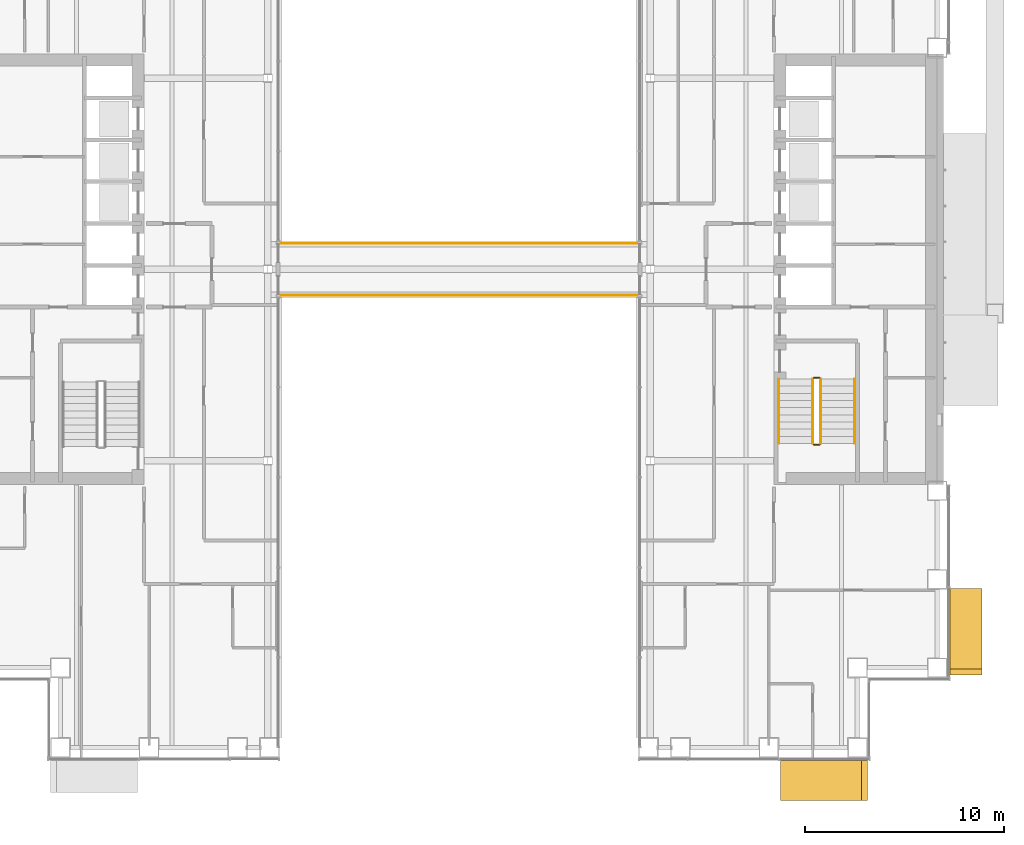
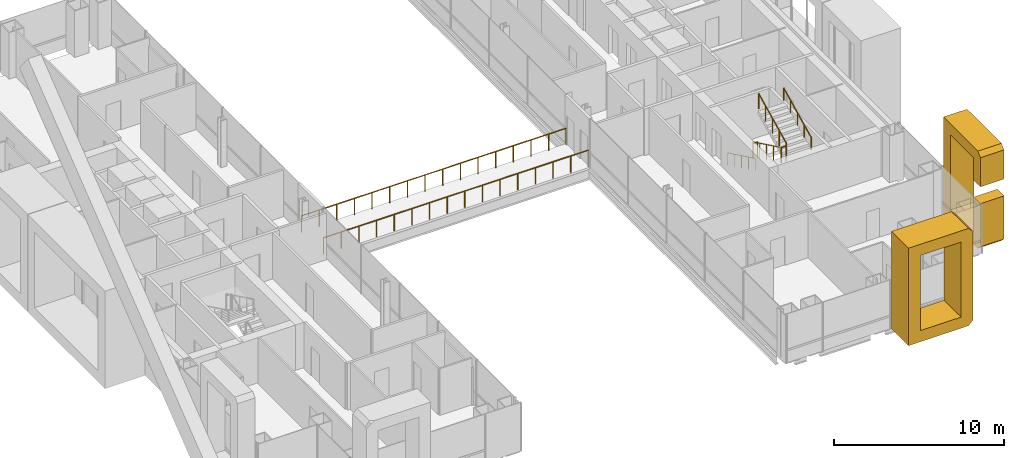
# One storey, part 23 of 26: 8 railings, 2 coverings.
"""IFC4 building model written with IfcOpenShell, lengths in metres."""

from ifc_helpers import new_model, si_unit, direction, frame, origin, origin_2d, place, context, subcontext, project, spatial, polyline, circle, outline, extrude, material, type_object, element, save


model = new_model("IFC4")

# Units and contexts
model_context = context("Model", 3, precision=1e-05, world=origin(), true_north=direction((0.0, 1.0)))
body_context = subcontext(model_context, "Body", "Model", "MODEL_VIEW")
ifc_project = project(units=[si_unit("LENGTHUNIT", "METRE"), si_unit("AREAUNIT", "SQUARE_METRE"), si_unit("VOLUMEUNIT", "CUBIC_METRE"), si_unit("PLANEANGLEUNIT", "RADIAN"), si_unit("MASSUNIT", "GRAM", prefix="KILO")], contexts=[model_context])

# Site, building, storey
site_placement = place(None, origin())
site = spatial("IfcSite", under=ifc_project, at=site_placement, CompositionType="ELEMENT")
building_placement = place(site_placement, origin())
building = spatial("IfcBuilding", under=site, at=building_placement, Name="Cobrizo Arcos Hotel Tower", CompositionType="ELEMENT")
storey_placement = place(building_placement, frame((0.0, 0.0, 67.0)))
storey = spatial("IfcBuildingStorey", under=building, at=storey_placement, Name="L15", CompositionType="ELEMENT", Elevation=67.0)

# Coverings
ifc_material_1 = material(Name="Aluminium 6063-T6 anodised bronze", Category="aluminium")
covering_type_1 = type_object("IfcCoveringType", Name="FIN-F 1600", PredefinedType="CLADDING", material=ifc_material_1)
covering_1_placement = place(storey_placement, frame((24.64990234375, -20.35009765625, 0.0), z_axis=(1.0, 0.0, 0.0), x_axis=(0.0, 1.0, 0.0)))
element("IfcCovering", 1, at=covering_1_placement, inside=storey, type_object=covering_type_1, Name="Fin frame 35", PredefinedType="CLADDING", context=body_context, shape_type="SweptSolid", body=[
    extrude(outline(polyline([(0.0, 6.699951171875), (0.0, 4.60205078125), (0.800048828125, 4.60205078125), (0.800048828125, 6.199951171875), (3.541748046875, 6.199951171875), (3.541748046875, 0.800048828125), (0.800048828125, 0.800048828125), (0.800048828125, 3.39794921875), (0.0, 3.39794921875), (0.0, 0.300048828125), (0.300048828125, 0.0), (4.341796875, 0.0), (4.341796875, 7.0), (0.300048828125, 7.0), (0.0, 6.699951171875)])), origin(), (0.0, 0.0, 1.0), 1.60009765625),
])
covering_type_2 = type_object("IfcCoveringType", Name="FIN-F 2000", PredefinedType="CLADDING", material=ifc_material_1)
covering_2_placement = place(storey_placement, frame((16.125, -24.64990234375, 0.0), z_axis=(0.0, -1.0, 0.0), x_axis=(1.0, 0.0, 0.0)))
element("IfcCovering", 2, at=covering_2_placement, inside=storey, type_object=covering_type_2, Name="Fin frame 58", PredefinedType="CLADDING", context=body_context, shape_type="SweptSolid", body=[
    extrude(outline(polyline([(0.0, 7.0), (0.0, 0.0), (4.074951171875, 0.0), (4.375, 0.300048828125), (4.375, 6.699951171875), (4.074951171875, 7.0), (0.0, 7.0)]), holes=[polyline([(3.574951171875, 0.800048828125), (0.800048828125, 0.800048828125), (0.800048828125, 6.199951171875), (3.574951171875, 6.199951171875), (3.574951171875, 0.800048828125)])]), origin(), (0.0, 0.0, 1.0), 2.0),
])

# Railings
ifc_material_2 = material(Name="Stainless steel railing", Category="steel")
railing_type_1 = type_object("IfcRailingType", Name="Sky bridge guard 1200", PredefinedType="GUARDRAIL", material=ifc_material_2)
railing_1_placement = place(storey_placement, frame((-9.0, 1.300048828125, 0.0)))
element("IfcRailing", 3, at=railing_1_placement, inside=storey, type_object=railing_type_1, Name="Sky bridge north guard", PredefinedType="GUARDRAIL", context=body_context, shape_type="SweptSolid", body=[
    extrude(circle(Radius=0.02392578125, at=origin_2d()), frame((0.0, 0.0, 1.17578125), z_axis=(1.0, 0.0, 0.0), x_axis=(0.0, 1.0, 0.0)), (0.0, 0.0, 1.0), 18.0),
    extrude(circle(Radius=0.02099609375, at=origin_2d()), origin(), (0.0, 0.0, 1.0), 1.15185546875),
    extrude(circle(Radius=0.02099609375, at=origin_2d()), frame((1.199951171875, 0.0, 0.0)), (0.0, 0.0, 1.0), 1.15185546875),
    extrude(circle(Radius=0.02099609375, at=origin_2d()), frame((2.39990234375, 0.0, 0.0)), (0.0, 0.0, 1.0), 1.15185546875),
    extrude(circle(Radius=0.02099609375, at=origin_2d()), frame((3.60009765625, 0.0, 0.0)), (0.0, 0.0, 1.0), 1.15185546875),
    extrude(circle(Radius=0.02099609375, at=origin_2d()), frame((4.800048828125, 0.0, 0.0)), (0.0, 0.0, 1.0), 1.15185546875),
    extrude(circle(Radius=0.02099609375, at=origin_2d()), frame((6.0, 0.0, 0.0)), (0.0, 0.0, 1.0), 1.15185546875),
    extrude(circle(Radius=0.02099609375, at=origin_2d()), frame((7.199951171875, 0.0, 0.0)), (0.0, 0.0, 1.0), 1.15185546875),
    extrude(circle(Radius=0.02099609375, at=origin_2d()), frame((8.39990234375, 0.0, 0.0)), (0.0, 0.0, 1.0), 1.15185546875),
    extrude(circle(Radius=0.02099609375, at=origin_2d()), frame((9.60009765625, 0.0, 0.0)), (0.0, 0.0, 1.0), 1.15185546875),
    extrude(circle(Radius=0.02099609375, at=origin_2d()), frame((10.800048828125, 0.0, 0.0)), (0.0, 0.0, 1.0), 1.15185546875),
    extrude(circle(Radius=0.02099609375, at=origin_2d()), frame((12.0, 0.0, 0.0)), (0.0, 0.0, 1.0), 1.15185546875),
    extrude(circle(Radius=0.02099609375, at=origin_2d()), frame((13.199951171875, 0.0, 0.0)), (0.0, 0.0, 1.0), 1.15185546875),
    extrude(circle(Radius=0.02099609375, at=origin_2d()), frame((14.39990234375, 0.0, 0.0)), (0.0, 0.0, 1.0), 1.15185546875),
    extrude(circle(Radius=0.02099609375, at=origin_2d()), frame((15.60009765625, 0.0, 0.0)), (0.0, 0.0, 1.0), 1.15185546875),
    extrude(circle(Radius=0.02099609375, at=origin_2d()), frame((16.800048828125, 0.0, 0.0)), (0.0, 0.0, 1.0), 1.15185546875),
    extrude(circle(Radius=0.02099609375, at=origin_2d()), frame((18.0, 0.0, 0.0)), (0.0, 0.0, 1.0), 1.15185546875),
])
railing_2_placement = place(storey_placement, frame((-9.0, -1.300048828125, 0.0)))
element("IfcRailing", 4, at=railing_2_placement, inside=storey, type_object=railing_type_1, Name="Sky bridge south guard", PredefinedType="GUARDRAIL", context=body_context, shape_type="SweptSolid", body=[
    extrude(circle(Radius=0.02392578125, at=origin_2d()), frame((0.0, 0.0, 1.17578125), z_axis=(1.0, 0.0, 0.0), x_axis=(0.0, 1.0, 0.0)), (0.0, 0.0, 1.0), 18.0),
    extrude(circle(Radius=0.02099609375, at=origin_2d()), origin(), (0.0, 0.0, 1.0), 1.15185546875),
    extrude(circle(Radius=0.02099609375, at=origin_2d()), frame((1.199951171875, 0.0, 0.0)), (0.0, 0.0, 1.0), 1.15185546875),
    extrude(circle(Radius=0.02099609375, at=origin_2d()), frame((2.39990234375, 0.0, 0.0)), (0.0, 0.0, 1.0), 1.15185546875),
    extrude(circle(Radius=0.02099609375, at=origin_2d()), frame((3.60009765625, 0.0, 0.0)), (0.0, 0.0, 1.0), 1.15185546875),
    extrude(circle(Radius=0.02099609375, at=origin_2d()), frame((4.800048828125, 0.0, 0.0)), (0.0, 0.0, 1.0), 1.15185546875),
    extrude(circle(Radius=0.02099609375, at=origin_2d()), frame((6.0, 0.0, 0.0)), (0.0, 0.0, 1.0), 1.15185546875),
    extrude(circle(Radius=0.02099609375, at=origin_2d()), frame((7.199951171875, 0.0, 0.0)), (0.0, 0.0, 1.0), 1.15185546875),
    extrude(circle(Radius=0.02099609375, at=origin_2d()), frame((8.39990234375, 0.0, 0.0)), (0.0, 0.0, 1.0), 1.15185546875),
    extrude(circle(Radius=0.02099609375, at=origin_2d()), frame((9.60009765625, 0.0, 0.0)), (0.0, 0.0, 1.0), 1.15185546875),
    extrude(circle(Radius=0.02099609375, at=origin_2d()), frame((10.800048828125, 0.0, 0.0)), (0.0, 0.0, 1.0), 1.15185546875),
    extrude(circle(Radius=0.02099609375, at=origin_2d()), frame((12.0, 0.0, 0.0)), (0.0, 0.0, 1.0), 1.15185546875),
    extrude(circle(Radius=0.02099609375, at=origin_2d()), frame((13.199951171875, 0.0, 0.0)), (0.0, 0.0, 1.0), 1.15185546875),
    extrude(circle(Radius=0.02099609375, at=origin_2d()), frame((14.39990234375, 0.0, 0.0)), (0.0, 0.0, 1.0), 1.15185546875),
    extrude(circle(Radius=0.02099609375, at=origin_2d()), frame((15.60009765625, 0.0, 0.0)), (0.0, 0.0, 1.0), 1.15185546875),
    extrude(circle(Radius=0.02099609375, at=origin_2d()), frame((16.800048828125, 0.0, 0.0)), (0.0, 0.0, 1.0), 1.15185546875),
    extrude(circle(Radius=0.02099609375, at=origin_2d()), frame((18.0, 0.0, 0.0)), (0.0, 0.0, 1.0), 1.15185546875),
])
railing_type_2 = type_object("IfcRailingType", Name="Stair guard 1100", PredefinedType="GUARDRAIL", material=ifc_material_2)
railing_3_placement = place(storey_placement, frame((17.75, -5.5, 0.175048828125)))
element("IfcRailing", 5, at=railing_3_placement, inside=storey, type_object=railing_type_2, Name="L15 ST-E stair guard 1", PredefinedType="GUARDRAIL", context=body_context, shape_type="SweptSolid", body=[
    extrude(circle(Radius=0.02392578125, at=origin_2d()), frame((0.0, 0.0, 1.076171875), z_axis=(0.0, -0.899372665325, 0.437182809435), x_axis=(1.0, 0.0, 0.0)), (0.0, 0.0, 1.0), 3.6025390625),
    extrude(circle(Radius=0.02099609375, at=origin_2d()), origin(), (0.0, 0.0, 1.0), 1.052001953125),
    extrude(circle(Radius=0.02099609375, at=origin_2d()), frame((0.0, -0.81005859375, 0.393798828125)), (0.0, 0.0, 1.0), 1.052001953125),
    extrude(circle(Radius=0.02099609375, at=origin_2d()), frame((0.0, -1.6201171875, 0.78759765625)), (0.0, 0.0, 1.0), 1.052001953125),
    extrude(circle(Radius=0.02099609375, at=origin_2d()), frame((0.0, -2.429931640625, 1.18115234375)), (0.0, 0.0, 1.0), 1.052001953125),
    extrude(circle(Radius=0.02099609375, at=origin_2d()), frame((0.0, -3.239990234375, 1.574951171875)), (0.0, 0.0, 1.0), 1.052001953125),
])
railing_4_placement = place(storey_placement, frame((17.800048828125, -8.7900390625, 1.75)))
element("IfcRailing", 6, at=railing_4_placement, inside=storey, type_object=railing_type_2, Name="L15 ST-E stair guard 2", PredefinedType="GUARDRAIL", context=body_context, shape_type="SweptSolid", body=[
    extrude(circle(Radius=0.02392578125, at=origin_2d()), frame((0.0, 0.0, 1.076171875), z_axis=(1.0, 0.0, 0.0), x_axis=(0.0, 1.0, 0.0)), (0.0, 0.0, 1.0), 0.300048828125),
    extrude(circle(Radius=0.02099609375, at=origin_2d()), origin(), (0.0, 0.0, 1.0), 1.052001953125),
    extrude(circle(Radius=0.02099609375, at=origin_2d()), frame((0.300048828125, 0.0, 0.0)), (0.0, 0.0, 1.0), 1.052001953125),
])
railing_5_placement = place(storey_placement, frame((18.14990234375, -8.739990234375, 1.925048828125)))
element("IfcRailing", 7, at=railing_5_placement, inside=storey, type_object=railing_type_2, Name="L15 ST-E stair guard 3", PredefinedType="GUARDRAIL", context=body_context, shape_type="SweptSolid", body=[
    extrude(circle(Radius=0.02392578125, at=origin_2d()), frame((0.0, 0.0, 1.076171875), z_axis=(0.0, 0.899372665325, 0.437182809435), x_axis=(-1.0, 0.0, 0.0)), (0.0, 0.0, 1.0), 3.6025390625),
    extrude(circle(Radius=0.02099609375, at=origin_2d()), origin(), (0.0, 0.0, 1.0), 1.052001953125),
    extrude(circle(Radius=0.02099609375, at=origin_2d()), frame((0.0, 0.81005859375, 0.393798828125)), (0.0, 0.0, 1.0), 1.052001953125),
    extrude(circle(Radius=0.02099609375, at=origin_2d()), frame((0.0, 1.6201171875, 0.78759765625)), (0.0, 0.0, 1.0), 1.052001953125),
    extrude(circle(Radius=0.02099609375, at=origin_2d()), frame((0.0, 2.429931640625, 1.18115234375)), (0.0, 0.0, 1.0), 1.052001953125),
    extrude(circle(Radius=0.02099609375, at=origin_2d()), frame((0.0, 3.239990234375, 1.574951171875)), (0.0, 0.0, 1.0), 1.052001953125),
])
railing_6_placement = place(storey_placement, frame((17.800048828125, -5.449951171875, 0.0)))
element("IfcRailing", 8, at=railing_6_placement, inside=storey, type_object=railing_type_2, Name="L15 ST-E stair guard 4", PredefinedType="GUARDRAIL", context=body_context, shape_type="SweptSolid", body=[
    extrude(circle(Radius=0.02392578125, at=origin_2d()), frame((0.0, 0.0, 1.076171875), z_axis=(1.0, 0.0, 0.0), x_axis=(0.0, 1.0, 0.0)), (0.0, 0.0, 1.0), 0.300048828125),
    extrude(circle(Radius=0.02099609375, at=origin_2d()), origin(), (0.0, 0.0, 1.0), 1.052001953125),
    extrude(circle(Radius=0.02099609375, at=origin_2d()), frame((0.300048828125, 0.0, 0.0)), (0.0, 0.0, 1.0), 1.052001953125),
])
railing_type_3 = type_object("IfcRailingType", Name="Stair handrail", PredefinedType="HANDRAIL", material=ifc_material_2)
railing_7_placement = place(storey_placement, frame((16.050048828125, -5.5, 0.175048828125)))
element("IfcRailing", 9, at=railing_7_placement, inside=storey, type_object=railing_type_3, Name="L15 ST-E stair handrail 1", PredefinedType="HANDRAIL", context=body_context, shape_type="SweptSolid", body=[
    extrude(circle(Radius=0.02392578125, at=origin_2d()), frame((0.0, 0.0, 0.8759765625), z_axis=(0.0, -0.899372665325, 0.437182809435), x_axis=(1.0, 0.0, 0.0)), (0.0, 0.0, 1.0), 3.6025390625),
    extrude(circle(Radius=0.02099609375, at=origin_2d()), origin(), (0.0, 0.0, 1.0), 0.851806640625),
    extrude(circle(Radius=0.02099609375, at=origin_2d()), frame((0.0, -0.81005859375, 0.393798828125)), (0.0, 0.0, 1.0), 0.851806640625),
    extrude(circle(Radius=0.02099609375, at=origin_2d()), frame((0.0, -1.6201171875, 0.78759765625)), (0.0, 0.0, 1.0), 0.851806640625),
    extrude(circle(Radius=0.02099609375, at=origin_2d()), frame((0.0, -2.429931640625, 1.18115234375)), (0.0, 0.0, 1.0), 0.851806640625),
    extrude(circle(Radius=0.02099609375, at=origin_2d()), frame((0.0, -3.239990234375, 1.574951171875)), (0.0, 0.0, 1.0), 0.851806640625),
])
railing_8_placement = place(storey_placement, frame((19.85009765625, -8.739990234375, 1.925048828125)))
element("IfcRailing", 10, at=railing_8_placement, inside=storey, type_object=railing_type_3, Name="L15 ST-E stair handrail 2", PredefinedType="HANDRAIL", context=body_context, shape_type="SweptSolid", body=[
    extrude(circle(Radius=0.02392578125, at=origin_2d()), frame((0.0, 0.0, 0.8759765625), z_axis=(0.0, 0.899372665325, 0.437182809435), x_axis=(-1.0, 0.0, 0.0)), (0.0, 0.0, 1.0), 3.6025390625),
    extrude(circle(Radius=0.02099609375, at=origin_2d()), origin(), (0.0, 0.0, 1.0), 0.851806640625),
    extrude(circle(Radius=0.02099609375, at=origin_2d()), frame((0.0, 0.81005859375, 0.393798828125)), (0.0, 0.0, 1.0), 0.851806640625),
    extrude(circle(Radius=0.02099609375, at=origin_2d()), frame((0.0, 1.6201171875, 0.78759765625)), (0.0, 0.0, 1.0), 0.851806640625),
    extrude(circle(Radius=0.02099609375, at=origin_2d()), frame((0.0, 2.429931640625, 1.18115234375)), (0.0, 0.0, 1.0), 0.851806640625),
    extrude(circle(Radius=0.02099609375, at=origin_2d()), frame((0.0, 3.239990234375, 1.574951171875)), (0.0, 0.0, 1.0), 0.851806640625),
])

save(model, "model.ifc")
